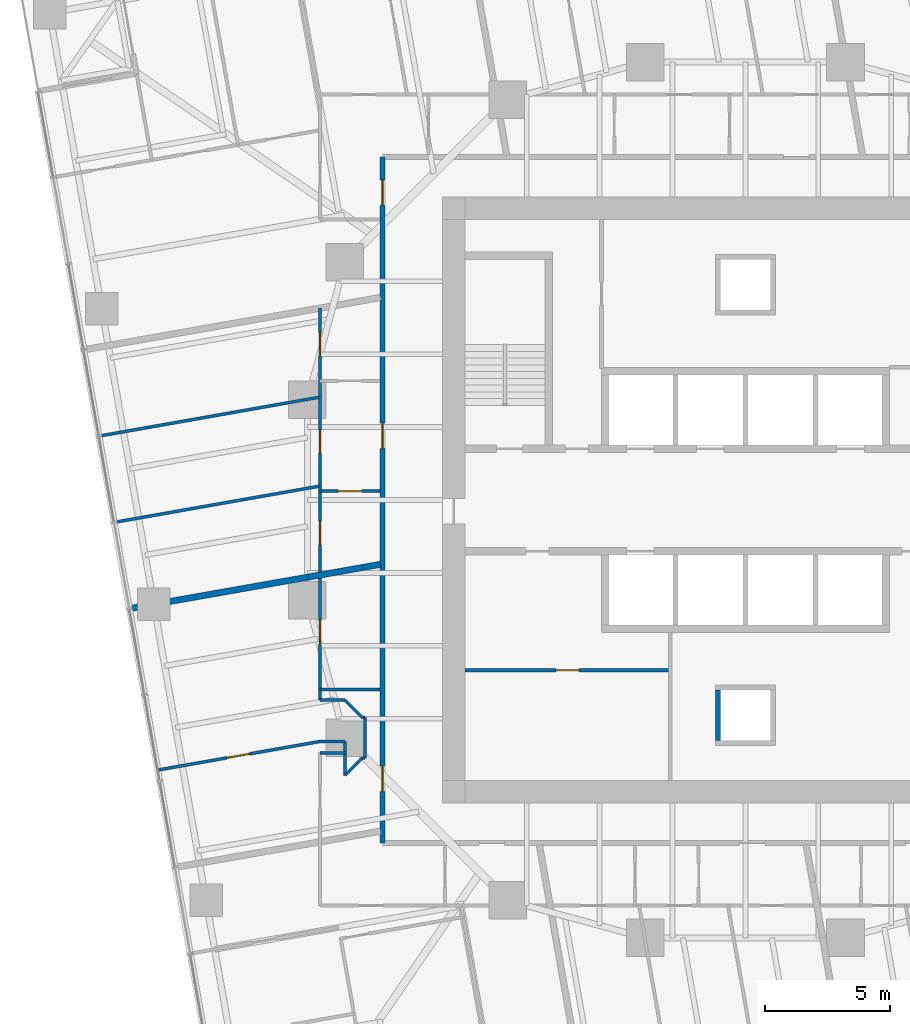
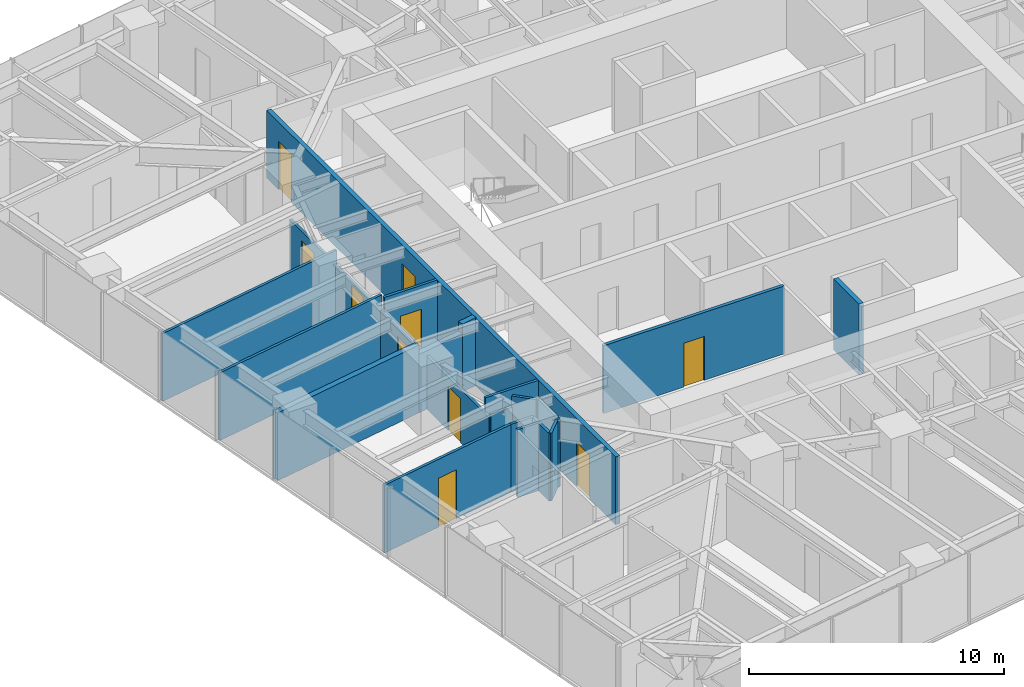
# One storey, part 9 of 14: 21 walls, 10 doors, 10 openings.
"""IFC4 building model written with IfcOpenShell, lengths in metres."""

from ifc_helpers import new_model, si_unit, direction, frame, frame_2d, origin, place, context, subcontext, project, spatial, rectangle, extrude, material, layer, layer_set, type_object, element, fill, save


model = new_model("IFC4")

# Units and contexts
model_context = context("Model", 3, precision=1e-05, world=origin(), true_north=direction((0.0, 1.0)))
body_context = subcontext(model_context, "Body", "Model", "MODEL_VIEW")
ifc_project = project(units=[si_unit("LENGTHUNIT", "METRE"), si_unit("AREAUNIT", "SQUARE_METRE"), si_unit("VOLUMEUNIT", "CUBIC_METRE"), si_unit("PLANEANGLEUNIT", "RADIAN"), si_unit("MASSUNIT", "GRAM", prefix="KILO")], contexts=[model_context])

# Site, building, storey
site_placement = place(None, origin())
site = spatial("IfcSite", under=ifc_project, at=site_placement, CompositionType="ELEMENT")
building_placement = place(site_placement, origin())
building = spatial("IfcBuilding", under=site, at=building_placement, Name="Torsade Residences", CompositionType="ELEMENT")
storey_placement = place(building_placement, frame((0.0, 0.0, 89.60009765625)))
storey = spatial("IfcBuildingStorey", under=building, at=storey_placement, Name="L24", CompositionType="ELEMENT", Elevation=89.60009765625)

# Wall, openings, doors
ifc_material_1 = material(Name="Plasterboard on steel stud", Category="steel")
ifc_layer_1 = layer(ifc_material_1, 0.199951171875)
ifc_layer_set_1 = layer_set([ifc_layer_1], Name="Plasterboard on steel stud")
wall_type_1 = type_object("IfcWallType", Name="CORRIDOR WALL 200", PredefinedType="PARTITIONING", material=ifc_layer_set_1)
wall_1_placement = place(storey_placement, frame((25.5, 43.699951171875, 0.0), z_axis=(0.0, 0.0, 1.0), x_axis=(0.0, -1.0, 0.0)))
wall_1 = element("IfcWall", 1, at=wall_1_placement, inside=storey, type_object=wall_type_1, Name="Corridor wall L24", PredefinedType="PARTITIONING", context=body_context, shape_type="SweptSolid", body=[
    extrude(rectangle(XDim=27.39990234375, YDim=0.199951171875, at=frame_2d((13.699951171875, 0.0))), origin(), (0.0, 0.0, 1.0), 3.25),
])
opening_1_placement = place(wall_1_placement, frame((24.332763671875, 0.0, 0.0)))
opening_1 = element("IfcOpeningElement", 2, at=opening_1_placement, cuts=wall_1, Name="Opening D01L", PredefinedType="OPENING", context=body_context, shape_type="SweptSolid", body=[
    extrude(rectangle(XDim=1.02001953125, YDim=2.10009765625, at=frame_2d((0.510009765625, 1.050048828125))), frame((0.0, 0.10986328125, 0.0), z_axis=(0.0, -1.0, 0.0), x_axis=(1.0, 0.0, 0.0)), (0.0, 0.0, 1.0), 0.219970703125),
])
opening_2_placement = place(wall_1_placement, frame((10.63134765625, 0.0, 0.0)))
opening_2 = element("IfcOpeningElement", 3, at=opening_2_placement, cuts=wall_1, Name="Opening D01", PredefinedType="OPENING", context=body_context, shape_type="SweptSolid", body=[
    extrude(rectangle(XDim=1.02001953125, YDim=2.340087890625, at=frame_2d((0.510009765625, 1.169921875))), frame((0.0, 0.10986328125, 0.0), z_axis=(0.0, -1.0, 0.0), x_axis=(1.0, 0.0, 0.0)), (0.0, 0.0, 1.0), 0.219970703125),
])
opening_3_placement = place(wall_1_placement, frame((0.9111328125, 0.0, 0.0)))
opening_3 = element("IfcOpeningElement", 4, at=opening_3_placement, cuts=wall_1, Name="Opening D01", PredefinedType="OPENING", context=body_context, shape_type="SweptSolid", body=[
    extrude(rectangle(XDim=1.02001953125, YDim=2.340087890625, at=frame_2d((0.510009765625, 1.169921875))), frame((0.0, 0.10986328125, 0.0), z_axis=(0.0, -1.0, 0.0), x_axis=(1.0, 0.0, 0.0)), (0.0, 0.0, 1.0), 0.219970703125),
])
ifc_material_2 = material(Name="Solid-core timber fire door", Category="wood")
door_type_1 = type_object("IfcDoorType", Name="APARTMENT ENTRY DOOR 1020x2100", OperationType="NOTDEFINED", PredefinedType="DOOR", material=ifc_material_2)
door_1_placement = place(opening_1_placement, origin())
door_1 = element("IfcDoor", 5, at=door_1_placement, inside=storey, type_object=door_type_1, Name="Door Residential corridor to Kitchen and dining", OperationType="SINGLE_SWING_RIGHT", OverallHeight=2.10009765625, OverallWidth=1.02001953125, PredefinedType="DOOR", context=body_context, shape_type="SweptSolid", body=[
    extrude(rectangle(XDim=1.02001953125, YDim=2.10009765625, at=frame_2d((0.510009765625, 1.050048828125))), frame((0.0, 0.02490234375, 0.0), z_axis=(0.0, -1.0, 0.0), x_axis=(1.0, 0.0, 0.0)), (0.0, 0.0, 1.0), 0.050048828125),
])
fill(opening_1, door_1)
ifc_material_3 = material(Name="Solid-core timber fire door", Category="wood")
door_type_2 = type_object("IfcDoorType", Name="APARTMENT ENTRY DOOR 1020x2340", OperationType="NOTDEFINED", PredefinedType="DOOR", material=ifc_material_3)
door_2_placement = place(opening_2_placement, origin())
door_2 = element("IfcDoor", 6, at=door_2_placement, inside=storey, type_object=door_type_2, Name="Door Residential corridor to Kitchen and dining", OperationType="SINGLE_SWING_RIGHT", OverallHeight=2.340087890625, OverallWidth=1.02001953125, PredefinedType="DOOR", context=body_context, shape_type="SweptSolid", body=[
    extrude(rectangle(XDim=1.02001953125, YDim=2.340087890625, at=frame_2d((0.510009765625, 1.169921875))), frame((0.0, 0.02490234375, 0.0), z_axis=(0.0, -1.0, 0.0), x_axis=(1.0, 0.0, 0.0)), (0.0, 0.0, 1.0), 0.050048828125),
])
fill(opening_2, door_2)
door_3_placement = place(opening_3_placement, origin())
door_3 = element("IfcDoor", 7, at=door_3_placement, inside=storey, type_object=door_type_2, Name="Door Residential corridor to Kitchen and dining", OperationType="SINGLE_SWING_LEFT", OverallHeight=2.340087890625, OverallWidth=1.02001953125, PredefinedType="DOOR", context=body_context, shape_type="SweptSolid", body=[
    extrude(rectangle(XDim=1.02001953125, YDim=2.340087890625, at=frame_2d((0.510009765625, 1.169921875))), frame((0.0, 0.02490234375, 0.0), z_axis=(0.0, -1.0, 0.0), x_axis=(1.0, 0.0, 0.0)), (0.0, 0.0, 1.0), 0.050048828125),
])
fill(opening_3, door_3)

# Walls
ifc_material_4 = material(Name="Plasterboard on steel stud", Category="steel")
ifc_layer_2 = layer(ifc_material_4, 0.1201171875)
ifc_layer_set_2 = layer_set([ifc_layer_2], Name="Plasterboard on steel stud")
wall_type_2 = type_object("IfcWallType", Name="PARTITION 120", PredefinedType="PARTITIONING", material=ifc_layer_set_2)
wall_2_placement = place(storey_placement, frame((23.0, 22.41943359375, 0.0), z_axis=(0.0, 0.0, 1.0), x_axis=(1.0, 0.0, 0.0)))
element("IfcWall", 8, at=wall_2_placement, inside=storey, type_object=wall_type_2, Name="Partition L24", PredefinedType="PARTITIONING", context=body_context, shape_type="SweptSolid", body=[
    extrude(rectangle(XDim=2.39990234375, YDim=0.1201171875, at=frame_2d((1.199951171875, 0.0))), origin(), (0.0, 0.0, 1.0), 3.25),
])
wall_3_placement = place(storey_placement, frame((24.0, 20.344482421875, 0.0), z_axis=(0.0, 0.0, 1.0), x_axis=(0.0, -1.0, 0.0)))
element("IfcWall", 9, at=wall_3_placement, inside=storey, type_object=wall_type_2, Name="Partition L24", PredefinedType="PARTITIONING", context=body_context, shape_type="SweptSolid", body=[
    extrude(rectangle(XDim=1.344482421875, YDim=0.1201171875, at=frame_2d((0.67236328125, 0.0))), origin(), (0.0, 0.0, 1.0), 3.25),
])
wall_4_placement = place(storey_placement, frame((24.0, 19.0, 0.0), z_axis=(0.0, 0.0, 1.0), x_axis=(0.707106781187, 0.707106781187, 0.0)))
element("IfcWall", 10, at=wall_4_placement, inside=storey, type_object=wall_type_2, Name="Partition L24", PredefinedType="PARTITIONING", context=body_context, shape_type="SweptSolid", body=[
    extrude(rectangle(XDim=0.989990234375, YDim=0.1201171875, at=frame_2d((0.4951171875, 0.0))), origin(), (0.0, 0.0, 1.0), 3.25),
])
wall_5_placement = place(storey_placement, frame((24.800048828125, 19.699951171875, 0.0), z_axis=(0.0, 0.0, 1.0), x_axis=(0.0, 1.0, 0.0)))
element("IfcWall", 11, at=wall_5_placement, inside=storey, type_object=wall_type_2, Name="Partition L24", PredefinedType="PARTITIONING", context=body_context, shape_type="SweptSolid", body=[
    extrude(rectangle(XDim=1.60009765625, YDim=0.1201171875, at=frame_2d((0.800048828125, 0.0))), origin(), (0.0, 0.0, 1.0), 3.25),
])
wall_6_placement = place(storey_placement, frame((24.699951171875, 21.300048828125, 0.0), z_axis=(0.0, 0.0, 1.0), x_axis=(-0.707106781187, 0.707106781187, 0.0)))
element("IfcWall", 12, at=wall_6_placement, inside=storey, type_object=wall_type_2, Name="Partition L24", PredefinedType="PARTITIONING", context=body_context, shape_type="SweptSolid", body=[
    extrude(rectangle(XDim=0.989990234375, YDim=0.1201171875, at=frame_2d((0.4951171875, 0.0))), origin(), (0.0, 0.0, 1.0), 3.25),
])
wall_7_placement = place(storey_placement, frame((24.0, 22.0, 0.0), z_axis=(0.0, 0.0, 1.0), x_axis=(-1.0, 0.0, 0.0)))
element("IfcWall", 13, at=wall_7_placement, inside=storey, type_object=wall_type_2, Name="Partition L24", PredefinedType="PARTITIONING", context=body_context, shape_type="SweptSolid", body=[
    extrude(rectangle(XDim=1.0, YDim=0.1201171875, at=frame_2d((0.5, 0.0))), origin(), (0.0, 0.0, 1.0), 2.721923828125),
])

# Wall, openings, doors
wall_8_placement = place(storey_placement, frame((23.0, 22.0, 0.0), z_axis=(0.0, 0.0, 1.0), x_axis=(0.0, 1.0, 0.0)))
wall_8 = element("IfcWall", 14, at=wall_8_placement, inside=storey, type_object=wall_type_2, Name="Partition L24", PredefinedType="PARTITIONING", context=body_context, shape_type="SweptSolid", body=[
    extrude(rectangle(XDim=15.664306640625, YDim=0.1201171875, at=frame_2d((7.83203125, 0.0))), origin(), (0.0, 0.0, 1.0), 2.5498046875),
])
opening_4_placement = place(wall_8_placement, frame((9.87353515625, 0.0, 0.0)))
opening_4 = element("IfcOpeningElement", 15, at=opening_4_placement, cuts=wall_8, Name="Opening D02", PredefinedType="OPENING", context=body_context, shape_type="SweptSolid", body=[
    extrude(rectangle(XDim=0.919921875, YDim=2.340087890625, at=frame_2d((0.4599609375, 1.169921875))), frame((0.0, 0.070068359375, 0.0), z_axis=(0.0, -1.0, 0.0), x_axis=(1.0, 0.0, 0.0)), (0.0, 0.0, 1.0), 0.14013671875),
])
opening_5_placement = place(wall_8_placement, frame((13.734375, 0.0, 0.0)))
opening_5 = element("IfcOpeningElement", 16, at=opening_5_placement, cuts=wall_8, Name="Opening D05", PredefinedType="OPENING", context=body_context, shape_type="SweptSolid", body=[
    extrude(rectangle(XDim=0.9599609375, YDim=2.10009765625, at=frame_2d((0.47998046875, 1.050048828125))), frame((0.0, 0.070068359375, 0.0), z_axis=(0.0, -1.0, 0.0), x_axis=(1.0, 0.0, 0.0)), (0.0, 0.0, 1.0), 0.14013671875),
])
opening_6_placement = place(wall_8_placement, frame((6.19775390625, 0.0, 0.0)))
opening_6 = element("IfcOpeningElement", 17, at=opening_6_placement, cuts=wall_8, Name="Opening D05", PredefinedType="OPENING", context=body_context, shape_type="SweptSolid", body=[
    extrude(rectangle(XDim=0.9599609375, YDim=2.10009765625, at=frame_2d((0.47998046875, 1.050048828125))), frame((0.0, 0.070068359375, 0.0), z_axis=(0.0, -1.0, 0.0), x_axis=(1.0, 0.0, 0.0)), (0.0, 0.0, 1.0), 0.14013671875),
])
opening_7_placement = place(wall_8_placement, frame((2.23095703125, 0.0, 0.0)))
opening_7 = element("IfcOpeningElement", 18, at=opening_7_placement, cuts=wall_8, Name="Opening D05", PredefinedType="OPENING", context=body_context, shape_type="SweptSolid", body=[
    extrude(rectangle(XDim=0.9599609375, YDim=2.10009765625, at=frame_2d((0.47998046875, 1.050048828125))), frame((0.0, 0.070068359375, 0.0), z_axis=(0.0, -1.0, 0.0), x_axis=(1.0, 0.0, 0.0)), (0.0, 0.0, 1.0), 0.14013671875),
])
ifc_material_5 = material(Name="Hollow-core timber door in a steel cavity frame", Category="steel")
door_type_3 = type_object("IfcDoorType", Name="BATHROOM CAVITY SLIDING DOOR 960", OperationType="SLIDING_TO_LEFT", PredefinedType="DOOR", material=ifc_material_5)
door_4_placement = place(opening_5_placement, origin())
door_4 = element("IfcDoor", 19, at=door_4_placement, inside=storey, type_object=door_type_3, Name="Door Bathroom to Living room", OperationType="SLIDING_TO_LEFT", OverallHeight=2.10009765625, OverallWidth=0.9599609375, PredefinedType="DOOR", context=body_context, shape_type="SweptSolid", body=[
    extrude(rectangle(XDim=0.9599609375, YDim=2.10009765625, at=frame_2d((0.47998046875, 1.050048828125))), frame((0.0, 0.02490234375, 0.0), z_axis=(0.0, -1.0, 0.0), x_axis=(1.0, 0.0, 0.0)), (0.0, 0.0, 1.0), 0.050048828125),
])
fill(opening_5, door_4)
door_5_placement = place(opening_6_placement, origin())
door_5 = element("IfcDoor", 20, at=door_5_placement, inside=storey, type_object=door_type_3, Name="Door Ensuite to Bedroom 2", OperationType="SLIDING_TO_LEFT", OverallHeight=2.10009765625, OverallWidth=0.9599609375, PredefinedType="DOOR", context=body_context, shape_type="SweptSolid", body=[
    extrude(rectangle(XDim=0.9599609375, YDim=2.10009765625, at=frame_2d((0.47998046875, 1.050048828125))), frame((0.0, 0.02490234375, 0.0), z_axis=(0.0, -1.0, 0.0), x_axis=(1.0, 0.0, 0.0)), (0.0, 0.0, 1.0), 0.050048828125),
])
fill(opening_6, door_5)
door_6_placement = place(opening_7_placement, origin())
door_6 = element("IfcDoor", 21, at=door_6_placement, inside=storey, type_object=door_type_3, Name="Door Living room to Bathroom", OperationType="SLIDING_TO_LEFT", OverallHeight=2.10009765625, OverallWidth=0.9599609375, PredefinedType="DOOR", context=body_context, shape_type="SweptSolid", body=[
    extrude(rectangle(XDim=0.9599609375, YDim=2.10009765625, at=frame_2d((0.47998046875, 1.050048828125))), frame((0.0, 0.02490234375, 0.0), z_axis=(0.0, -1.0, 0.0), x_axis=(1.0, 0.0, 0.0)), (0.0, 0.0, 1.0), 0.050048828125),
])
fill(opening_7, door_6)
ifc_material_6 = material(Name="Hollow-core timber door", Category="wood")
door_type_4 = type_object("IfcDoorType", Name="INTERNAL DOOR 920x2340", OperationType="NOTDEFINED", PredefinedType="DOOR", material=ifc_material_6)
door_7_placement = place(opening_4_placement, origin())
door_7 = element("IfcDoor", 22, at=door_7_placement, inside=storey, type_object=door_type_4, Name="Door Kitchen and dining to Bedroom 1", OperationType="SINGLE_SWING_RIGHT", OverallHeight=2.340087890625, OverallWidth=0.919921875, PredefinedType="DOOR", context=body_context, shape_type="SweptSolid", body=[
    extrude(rectangle(XDim=0.919921875, YDim=2.340087890625, at=frame_2d((0.4599609375, 1.169921875))), frame((0.0, 0.02490234375, 0.0), z_axis=(0.0, -1.0, 0.0), x_axis=(1.0, 0.0, 0.0)), (0.0, 0.0, 1.0), 0.050048828125),
])
fill(opening_4, door_7)

# Walls
wall_9_placement = place(storey_placement, frame((23.0, 19.894287109375, 0.0), z_axis=(0.0, 0.0, 1.0), x_axis=(1.0, 0.0, 0.0)))
element("IfcWall", 23, at=wall_9_placement, inside=storey, type_object=wall_type_2, Name="Partition L24", PredefinedType="PARTITIONING", context=body_context, shape_type="SweptSolid", body=[
    extrude(rectangle(XDim=1.0, YDim=0.1201171875, at=frame_2d((0.5, 0.0))), origin(), (0.0, 0.0, 1.0), 3.25),
])
wall_10_placement = place(storey_placement, frame((24.0, 20.344482421875, 0.0), z_axis=(0.0, 0.0, 1.0), x_axis=(-1.0, 0.0, 0.0)))
element("IfcWall", 24, at=wall_10_placement, inside=storey, type_object=wall_type_2, Name="Partition L24", PredefinedType="PARTITIONING", context=body_context, shape_type="SweptSolid", body=[
    extrude(rectangle(XDim=1.039306640625, YDim=0.1201171875, at=frame_2d((0.51953125, 0.0))), origin(), (0.0, 0.0, 1.0), 3.25),
])

# Wall, opening, door
wall_11_placement = place(storey_placement, frame((22.960693359375, 20.344482421875, 0.0), z_axis=(0.0, 0.0, 1.0), x_axis=(-0.984809249117, -0.173639692622, 0.0)))
wall_11 = element("IfcWall", 25, at=wall_11_placement, inside=storey, type_object=wall_type_2, Name="Partition L24", PredefinedType="PARTITIONING", context=body_context, shape_type="SweptSolid", body=[
    extrude(rectangle(XDim=6.5029296875, YDim=0.1201171875, at=frame_2d((3.25146484375, 0.0))), origin(), (0.0, 0.0, 1.0), 3.25),
])
opening_8_placement = place(wall_11_placement, frame((2.811279296875, 0.0, 0.0)))
opening_8 = element("IfcOpeningElement", 26, at=opening_8_placement, cuts=wall_11, Name="Opening D02", PredefinedType="OPENING", context=body_context, shape_type="SweptSolid", body=[
    extrude(rectangle(XDim=0.919921875, YDim=2.340087890625, at=frame_2d((0.4599609375, 1.169921875))), frame((0.0, 0.070068359375, 0.0), z_axis=(0.0, -1.0, 0.0), x_axis=(1.0, 0.0, 0.0)), (0.0, 0.0, 1.0), 0.14013671875),
])
door_8_placement = place(opening_8_placement, origin())
door_8 = element("IfcDoor", 27, at=door_8_placement, inside=storey, type_object=door_type_4, Name="Door Bedroom 1 to Living room", OperationType="SINGLE_SWING_RIGHT", OverallHeight=2.340087890625, OverallWidth=0.919921875, PredefinedType="DOOR", context=body_context, shape_type="SweptSolid", body=[
    extrude(rectangle(XDim=0.919921875, YDim=2.340087890625, at=frame_2d((0.4599609375, 1.169921875))), frame((0.0, 0.02490234375, 0.0), z_axis=(0.0, -1.0, 0.0), x_axis=(1.0, 0.0, 0.0)), (0.0, 0.0, 1.0), 0.050048828125),
])
fill(opening_8, door_8)

wall_12_placement = place(storey_placement, frame((25.39990234375, 30.35302734375, 0.0), z_axis=(0.0, 0.0, 1.0), x_axis=(-1.0, 0.0, 0.0)))
wall_12 = element("IfcWall", 28, at=wall_12_placement, inside=storey, type_object=wall_type_2, Name="Partition L24", PredefinedType="PARTITIONING", context=body_context, shape_type="SweptSolid", body=[
    extrude(rectangle(XDim=2.39990234375, YDim=0.1201171875, at=frame_2d((1.199951171875, 0.0))), origin(), (0.0, 0.0, 1.0), 3.25),
])
opening_9_placement = place(wall_12_placement, frame((0.719970703125, 0.0, 0.0)))
opening_9 = element("IfcOpeningElement", 29, at=opening_9_placement, cuts=wall_12, Name="Opening D05", PredefinedType="OPENING", context=body_context, shape_type="SweptSolid", body=[
    extrude(rectangle(XDim=0.9599609375, YDim=2.10009765625, at=frame_2d((0.47998046875, 1.050048828125))), frame((0.0, 0.070068359375, 0.0), z_axis=(0.0, -1.0, 0.0), x_axis=(1.0, 0.0, 0.0)), (0.0, 0.0, 1.0), 0.14013671875),
])
door_9_placement = place(opening_9_placement, origin())
door_9 = element("IfcDoor", 30, at=door_9_placement, inside=storey, type_object=door_type_3, Name="Door Kitchen and dining to Ensuite", OperationType="SLIDING_TO_LEFT", OverallHeight=2.10009765625, OverallWidth=0.9599609375, PredefinedType="DOOR", context=body_context, shape_type="SweptSolid", body=[
    extrude(rectangle(XDim=0.9599609375, YDim=2.10009765625, at=frame_2d((0.47998046875, 1.050048828125))), frame((0.0, 0.02490234375, 0.0), z_axis=(0.0, -1.0, 0.0), x_axis=(1.0, 0.0, 0.0)), (0.0, 0.0, 1.0), 0.050048828125),
])
fill(opening_9, door_9)

# Walls
wall_13_placement = place(storey_placement, frame((23.0, 34.1103515625, 0.0), z_axis=(0.0, 0.0, 1.0), x_axis=(-0.984808038675, -0.173646557583, 0.0)))
element("IfcWall", 31, at=wall_13_placement, inside=storey, type_object=wall_type_2, Name="Partition L24", PredefinedType="PARTITIONING", context=body_context, shape_type="SweptSolid", body=[
    extrude(rectangle(XDim=8.93212890625, YDim=0.1201171875, at=frame_2d((4.466064453125, 0.0))), origin(), (0.0, 0.0, 1.0), 3.25),
])
wall_14_placement = place(storey_placement, frame((23.0, 30.556396484375, 0.0), z_axis=(0.0, 0.0, 1.0), x_axis=(-0.984807787824, -0.173647980238, 0.0)))
element("IfcWall", 32, at=wall_14_placement, inside=storey, type_object=wall_type_2, Name="Partition L24", PredefinedType="PARTITIONING", context=body_context, shape_type="SweptSolid", body=[
    extrude(rectangle(XDim=8.314697265625, YDim=0.1201171875, at=frame_2d((4.1572265625, 0.0))), origin(), (0.0, 0.0, 1.0), 3.25),
])
for number, where, z_axis, x_axis, name in (
    (33, (24.800048828125, 19.699951171875, 0.0), (0.0, 0.0, 1.0), (-1.0, 0.0, 0.0), "Partition L24"),
    (34, (24.800048828125, 21.300048828125, 0.0), (0.0, 0.0, 1.0), (-1.0, 0.0, 0.0), "Partition L24"),
):
    element("IfcWall", number, at=place(storey_placement, frame(where, z_axis=z_axis, x_axis=x_axis)), inside=storey, type_object=wall_type_2, Name=name, PredefinedType="PARTITIONING", context=body_context, shape_type="SweptSolid", body=[
        extrude(rectangle(XDim=0.10009765625, YDim=0.1201171875, at=frame_2d((0.050048828125, 0.0))), origin(), (0.0, 0.0, 1.0), 3.25),
    ])
ifc_material_7 = material(Name="Masonry-lined stud party wall", Category="masonry")
ifc_layer_3 = layer(ifc_material_7, 0.25)
ifc_layer_set_3 = layer_set([ifc_layer_3], Name="Masonry-lined stud party wall")
wall_type_3 = type_object("IfcWallType", Name="PARTY WALL 250", PredefinedType="PARTITIONING", material=ifc_layer_set_3)
wall_15_placement = place(storey_placement, frame((15.3798828125, 25.65869140625, 0.0), z_axis=(0.0, 0.0, 1.0), x_axis=(0.984802553948, 0.173677660443, 0.0)))
element("IfcWall", 35, at=wall_15_placement, inside=storey, type_object=wall_type_3, Name="Party wall L24", PredefinedType="PARTITIONING", context=body_context, shape_type="SweptSolid", body=[
    extrude(rectangle(XDim=7.24365234375, YDim=0.25, at=frame_2d((3.621826171875, 0.0))), origin(), (0.0, 0.0, 1.0), 3.25),
])
wall_16_placement = place(storey_placement, frame((22.513427734375, 26.916748046875, 0.0), z_axis=(0.0, 0.0, 1.0), x_axis=(0.984809882944, 0.17363609779, 0.0)))
element("IfcWall", 36, at=wall_16_placement, inside=storey, type_object=wall_type_3, Name="Party wall L24", PredefinedType="PARTITIONING", context=body_context, shape_type="SweptSolid", body=[
    extrude(rectangle(XDim=2.23974609375, YDim=0.25, at=frame_2d((1.119873046875, 0.0))), origin(), (0.0, 0.0, 1.0), 2.7958984375),
])
wall_17_placement = place(storey_placement, frame((24.71923828125, 27.3056640625, 0.0), z_axis=(0.0, 0.0, 1.0), x_axis=(0.984835495461, 0.173490768861, 0.0)))
element("IfcWall", 37, at=wall_17_placement, inside=storey, type_object=wall_type_3, Name="Party wall L24", PredefinedType="PARTITIONING", context=body_context, shape_type="SweptSolid", body=[
    extrude(rectangle(XDim=0.709228515625, YDim=0.25, at=frame_2d((0.3544921875, 0.0))), origin(), (0.0, 0.0, 1.0), 3.25),
])
ifc_material_8 = material(Name="Reinforced blockwork", Category="masonry")
ifc_layer_4 = layer(ifc_material_8, 0.199951171875)
ifc_layer_set_4 = layer_set([ifc_layer_4], Name="Reinforced blockwork")
wall_type_4 = type_object("IfcWallType", Name="RISER SHAFT WALL 200", PredefinedType="SOLIDWALL", material=ifc_layer_set_4)
wall_18_placement = place(storey_placement, frame((38.89990234375, 22.39990234375, 0.0), z_axis=(0.0, 0.0, 1.0), x_axis=(0.0, -1.0, 0.0)))
element("IfcWall", 38, at=wall_18_placement, inside=storey, type_object=wall_type_4, Name="Core wall RS2a L24", PredefinedType="SOLIDWALL", context=body_context, shape_type="SweptSolid", body=[
    extrude(rectangle(XDim=2.0, YDim=0.199951171875, at=frame_2d((1.0, 0.0))), origin(), (0.0, 0.0, 1.0), 3.39990234375),
])

# Wall, opening, door
ifc_material_9 = material(Name="Reinforced blockwork", Category="masonry")
ifc_layer_5 = layer(ifc_material_9, 0.14990234375)
ifc_layer_set_5 = layer_set([ifc_layer_5], Name="Reinforced blockwork")
wall_type_5 = type_object("IfcWallType", Name="SERVICE ROOM WALL 150", PredefinedType="SOLIDWALL", material=ifc_layer_set_5)
wall_19_placement = place(storey_placement, frame((37.0, 23.199951171875, 0.0), z_axis=(0.0, 0.0, 1.0), x_axis=(-1.0, 0.0, 0.0)))
wall_19 = element("IfcWall", 39, at=wall_19_placement, inside=storey, type_object=wall_type_5, Name="Service room wall L24", PredefinedType="SOLIDWALL", context=body_context, shape_type="SweptSolid", body=[
    extrude(rectangle(XDim=8.199951171875, YDim=0.14990234375, at=frame_2d((4.10009765625, 0.0))), origin(), (0.0, 0.0, 1.0), 3.25),
])
opening_10_placement = place(wall_19_placement, frame((3.639892578125, 0.0, 0.0)))
opening_10 = element("IfcOpeningElement", 40, at=opening_10_placement, cuts=wall_19, Name="Opening D06", PredefinedType="OPENING", context=body_context, shape_type="SweptSolid", body=[
    extrude(rectangle(XDim=0.919921875, YDim=2.10009765625, at=frame_2d((0.4599609375, 1.050048828125))), frame((0.0, 0.0849609375, 0.0), z_axis=(0.0, -1.0, 0.0), x_axis=(1.0, 0.0, 0.0)), (0.0, 0.0, 1.0), 0.169921875),
])
ifc_material_10 = material(Name="Steel-framed fire door", Category="steel")
door_type_5 = type_object("IfcDoorType", Name="FIRE DOOR 920", OperationType="NOTDEFINED", PredefinedType="DOOR", material=ifc_material_10)
door_10_placement = place(opening_10_placement, origin())
door_10 = element("IfcDoor", 41, at=door_10_placement, inside=storey, type_object=door_type_5, Name="Door Cleaner store to Hose reel and hydrant store", OperationType="SINGLE_SWING_LEFT", OverallHeight=2.10009765625, OverallWidth=0.919921875, PredefinedType="DOOR", context=body_context, shape_type="SweptSolid", body=[
    extrude(rectangle(XDim=0.919921875, YDim=2.10009765625, at=frame_2d((0.4599609375, 1.050048828125))), frame((0.0, 0.02490234375, 0.0), z_axis=(0.0, -1.0, 0.0), x_axis=(1.0, 0.0, 0.0)), (0.0, 0.0, 1.0), 0.050048828125),
])
fill(opening_10, door_10)

save(model, "model.ifc")
